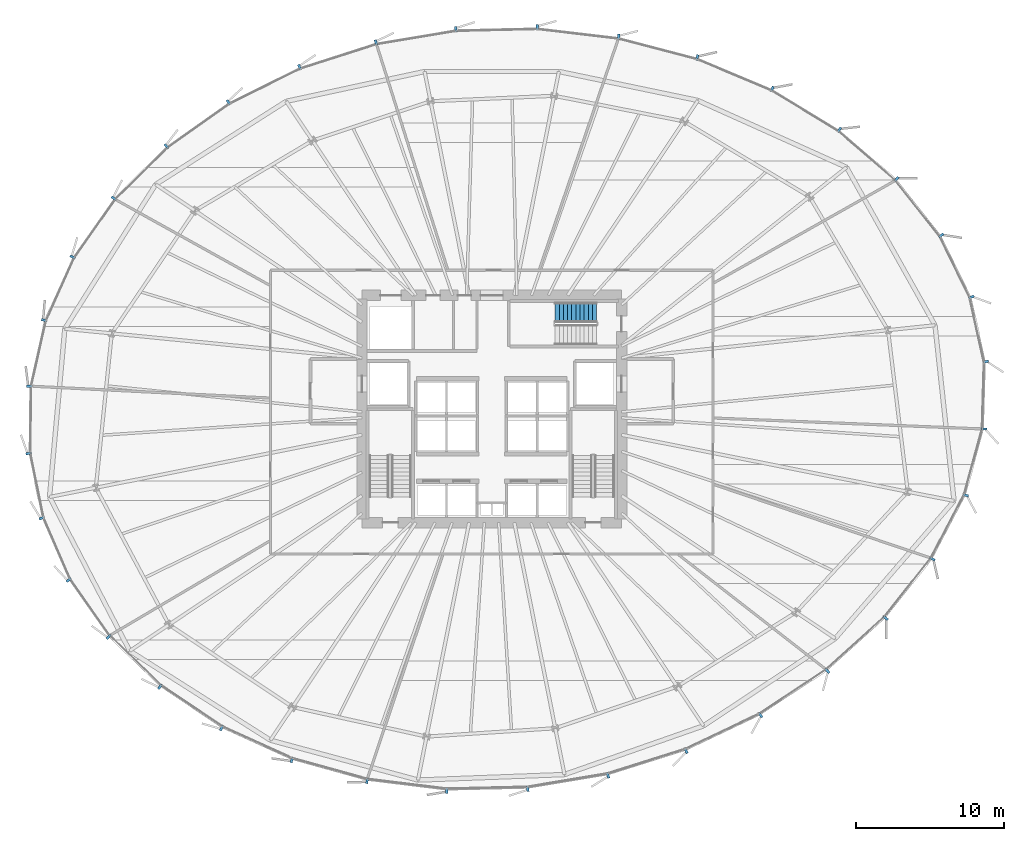
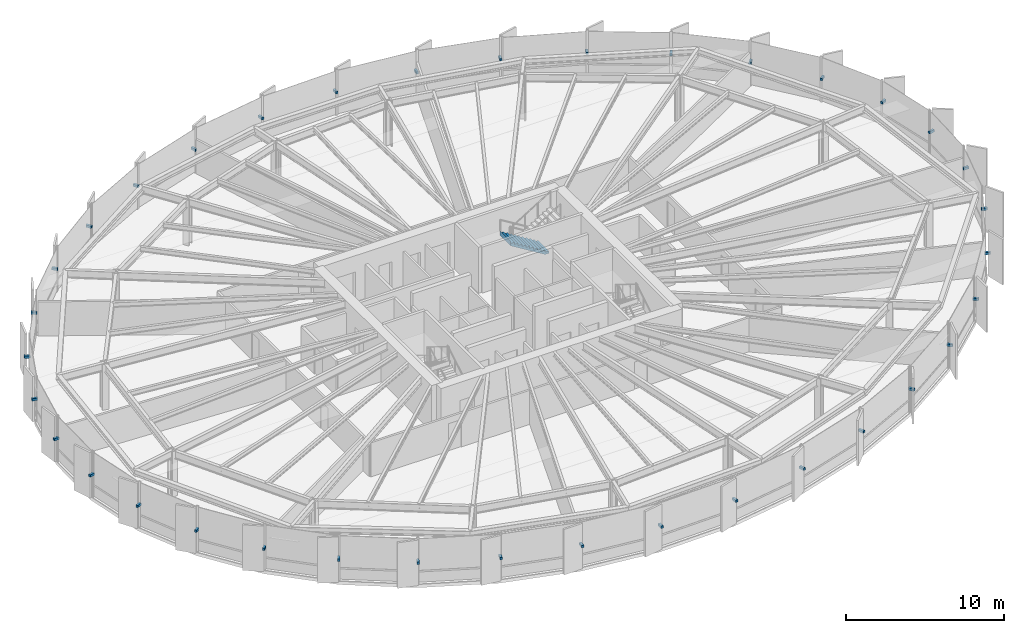
# One storey, part 33 of 38: 36 discrete accessories, 1 stair flight, 1 element without a shape of its own.
"""IFC4 building model written with IfcOpenShell, lengths in metres."""

from ifc_helpers import new_model, si_unit, direction, frame, origin, origin_2d, place, context, subcontext, project, spatial, polyline, rectangle, outline, extrude, source, transform, mapped, material, type_object, element, aggregate, save


model = new_model("IFC4")

# Units and contexts
model_context = context("Model", 3, precision=1e-05, world=origin(), true_north=direction((0.0, 1.0)))
body_context = subcontext(model_context, "Body", "Model", "MODEL_VIEW")
ifc_project = project(units=[si_unit("LENGTHUNIT", "METRE"), si_unit("AREAUNIT", "SQUARE_METRE"), si_unit("VOLUMEUNIT", "CUBIC_METRE"), si_unit("PLANEANGLEUNIT", "RADIAN"), si_unit("MASSUNIT", "GRAM", prefix="KILO"), si_unit("THERMODYNAMICTEMPERATUREUNIT", "KELVIN")], contexts=[model_context])

# Site, building, storey
site_placement = place(None, origin())
site = spatial("IfcSite", under=ifc_project, at=site_placement, CompositionType="ELEMENT")
building_placement = place(site_placement, origin())
building = spatial("IfcBuilding", under=site, at=building_placement, Name="Kethvar Cultural Tower", CompositionType="ELEMENT")
storey_placement = place(building_placement, frame((0.0, 0.0, 52.39990234375)))
storey = spatial("IfcBuildingStorey", under=building, at=storey_placement, Name="L12", CompositionType="ELEMENT", Elevation=52.39990234375)

# Stair, stair flight
ifc_material_1 = material(Name="Concrete C40/50", Category="concrete")
stair_type = type_object("IfcStairType", Name="ST-DOGLEG-135", PredefinedType="HALF_TURN_STAIR", material=ifc_material_1)
stair_placement = place(storey_placement, origin())
stair = element("IfcStair", 1, at=stair_placement, inside=storey, type_object=stair_type, Name="L12 Core Exit Stair 3", PredefinedType="HALF_TURN_STAIR")
stair_flight_type = type_object("IfcStairFlightType", Name="FL-STRAIGHT-135", PredefinedType="STRAIGHT", material=ifc_material_1)
stair_flight_placement = place(storey_placement, frame((53.89990234375, 34.3349609375, 0.0), z_axis=(0.0, 0.0, 1.0), x_axis=(-1.0, 0.0, 0.0)))
stair_flight = element("IfcStairFlight", 2, at=stair_flight_placement, type_object=stair_flight_type, Name="ST-03 flight 1", NumberOfRisers=11, NumberOfTreads=10, PredefinedType="STRAIGHT", RiserHeight=0.172727273, TreadLength=0.28, context=body_context, shape_type="SweptSolid", body=[
    extrude(outline(polyline([(-0.0009765625, -0.0009765625), (-0.0009765625, 0.172607421875), (0.280029296875, 0.172607421875), (0.280029296875, 0.345458984375), (0.56005859375, 0.345458984375), (0.56005859375, 0.51806640625), (0.840087890625, 0.51806640625), (0.840087890625, 0.69091796875), (1.1201171875, 0.69091796875), (1.1201171875, 0.863525390625), (1.39990234375, 0.863525390625), (1.39990234375, 1.036376953125), (1.679931640625, 1.036376953125), (1.679931640625, 1.208984375), (1.9599609375, 1.208984375), (1.9599609375, 1.3818359375), (2.239990234375, 1.3818359375), (2.239990234375, 1.554443359375), (2.52001953125, 1.554443359375), (2.52001953125, 1.727294921875), (2.800048828125, 1.727294921875), (2.800048828125, 1.89990234375), (2.801025390625, 1.89990234375), (2.801025390625, 1.551025390625), (0.285400390625, 0.0), (0.0, -0.0009765625), (-0.0009765625, -0.0009765625)])), frame((0.0, 0.675048828125, 0.0), z_axis=(0.0, -1.0, 0.0), x_axis=(1.0, 0.0, 0.0)), (0.0, 0.0, 1.0), 1.35009765625),
])
aggregate(stair, [stair_flight])

# Discrete accessories
ifc_material_2 = material(Name="Steel S355J2", Category="steel")
discrete_accessory_type = type_object("IfcDiscreteAccessoryType", Name="Steel Fin Bracket BRK-01", PredefinedType="BRACKET", material=ifc_material_2)
shared_shape = source(origin(), body_context, "Body", "SweptSolid", [
    extrude(rectangle(XDim=0.3798828125, YDim=0.159912109375, at=origin_2d()), origin(), (0.0, 0.0, 1.0), 0.179931640625),
])
for number, where, z_axis, x_axis, name in (
    (3, (80.28125, 31.00830078125, 1.68505859375), (0.0, 0.0, 1.0), (0.976333768089, 0.216269214844, 0.0), "L12 Terracotta Fin Bracket 1.1"),
    (4, (79.311767578125, 35.38525390625, 1.68505859375), (0.0, 0.0, 1.0), (0.897873953312, 0.440252613806, 0.0), "L12 Terracotta Fin Bracket 1.2"),
    (5, (77.26220703125, 39.564697265625, 1.68505859375), (0.0, 0.0, 1.0), (0.783368117696, 0.621558036049, 0.0), "L12 Terracotta Fin Bracket 1.3"),
    (6, (74.23388671875, 43.381591796875, 1.68505859375), (0.0, 0.0, 1.0), (0.65342060399, 0.756995055652, 0.0), "L12 Terracotta Fin Bracket 1.4"),
    (7, (70.361572265625, 46.7236328125, 1.68505859375), (0.0, 0.0, 1.0), (0.519966434242, 0.854186693447, 0.0), "L12 Terracotta Fin Bracket 1.5"),
    (8, (65.81005859375, 49.494384765625, 1.68505859375), (0.0, 0.0, 1.0), (0.387032846937, 0.922065927899, 0.0), "L12 Terracotta Fin Bracket 1.6"),
    (9, (60.719482421875, 51.6240234375, 1.68505859375), (0.0, 0.0, 1.0), (0.253420288991, 0.967356272077, 0.0), "L12 Terracotta Fin Bracket 2.1"),
    (10, (55.394287109375, 53.01904296875, 1.68505859375), (0.0, 0.0, 1.0), (0.117190744019, 0.993109424745, 0.0), "L12 Terracotta Fin Bracket 2.2"),
    (11, (49.88134765625, 53.66943359375, 1.68505859375), (0.0, 0.0, 1.0), (-0.023036308188, 0.999734629042, 0.0), "L12 Terracotta Fin Bracket 2.3"),
    (12, (44.36572265625, 53.54248046875, 1.68505859375), (0.0, 0.0, 1.0), (-0.165047605861, 0.986285601537, 0.0), "L12 Terracotta Fin Bracket 2.4"),
    (13, (38.95068359375, 52.635986328125, 1.68505859375), (0.0, 0.0, 1.0), (-0.30552912238, 0.952182732136, 0.0), "L12 Terracotta Fin Bracket 2.5"),
    (14, (33.77392578125, 50.974853515625, 1.68505859375), (0.0, 0.0, 1.0), (-0.443384096623, 0.896331714747, 0.0), "L12 Terracotta Fin Bracket 2.6"),
    (15, (28.958251953125, 48.585205078125, 1.68505859375), (0.0, 0.0, 1.0), (-0.577287712086, 0.816540811886, 0.0), "L12 Terracotta Fin Bracket 3.1"),
    (16, (24.752685546875, 45.6123046875, 1.68505859375), (0.0, 0.0, 1.0), (-0.703890763003, 0.710308238555, 0.0), "L12 Terracotta Fin Bracket 3.2"),
    (17, (21.18212890625, 42.073486328125, 1.68505859375), (0.0, 0.0, 1.0), (-0.818149717425, 0.575005252043, 0.0), "L12 Terracotta Fin Bracket 3.3"),
    (18, (18.39013671875, 38.1005859375, 1.68505859375), (0.0, 0.0, 1.0), (-0.911905355952, 0.410400562604, 0.0), "L12 Terracotta Fin Bracket 3.4"),
    (19, (16.46142578125, 33.81494140625, 1.68505859375), (0.0, 0.0, 1.0), (-0.975534543946, 0.219846204353, 0.0), "L12 Terracotta Fin Bracket 3.5"),
    (20, (15.45458984375, 29.346435546875, 1.68505859375), (0.0, 0.0, 1.0), (-0.9999274867, 0.01204248075, 0.0), "L12 Terracotta Fin Bracket 3.6"),
    (21, (15.40869140625, 24.789306640625, 1.68505859375), (0.0, 0.0, 1.0), (-0.979959485964, -0.199196902256, 0.0), "L12 Terracotta Fin Bracket 4.1"),
    (22, (16.30029296875, 20.405517578125, 1.68505859375), (0.0, 0.0, 1.0), (-0.917060074385, -0.398749068925, 0.0), "L12 Terracotta Fin Bracket 4.2"),
    (23, (18.126953125, 16.204833984375, 1.68505859375), (0.0, 0.0, 1.0), (-0.818851608095, -0.574005264714, 0.0), "L12 Terracotta Fin Bracket 4.3"),
    (24, (20.82470703125, 12.356689453125, 1.68505859375), (0.0, 0.0, 1.0), (-0.695912796592, -0.718126297763, 0.0), "L12 Terracotta Fin Bracket 4.4"),
    (25, (24.31201171875, 8.97802734375, 1.68505859375), (0.0, 0.0, 1.0), (-0.558324430902, -0.829622703317, 0.0), "L12 Terracotta Fin Bracket 4.5"),
    (26, (28.482177734375, 6.171142578125, 1.68505859375), (0.0, 0.0, 1.0), (-0.41405786884, -0.9102505596, 0.0), "L12 Terracotta Fin Bracket 4.6"),
    (27, (33.24951171875, 4.01025390625, 1.68505859375), (0.0, 0.0, 1.0), (-0.267574730274, -0.963537110712, 0.0), "L12 Terracotta Fin Bracket 5.1"),
    (28, (38.3486328125, 2.594482421875, 1.68505859375), (0.0, 0.0, 1.0), (-0.121696109567, -0.992567406737, 0.0), "L12 Terracotta Fin Bracket 5.2"),
    (29, (43.744873046875, 1.93310546875, 1.68505859375), (0.0, 0.0, 1.0), (0.022687333573, -0.999742609323, 0.0), "L12 Terracotta Fin Bracket 5.3"),
    (30, (49.234130859375, 2.0576171875, 1.68505859375), (0.0, 0.0, 1.0), (0.16470331719, -0.986343153931, 0.0), "L12 Terracotta Fin Bracket 5.4"),
    (31, (54.67578125, 2.96630859375, 1.68505859375), (0.0, 0.0, 1.0), (0.301205123289, -0.953559370834, 0.0), "L12 Terracotta Fin Bracket 5.5"),
    (32, (59.968994140625, 4.638427734375, 1.68505859375), (0.0, 0.0, 1.0), (0.430196008887, -0.90273550608, 0.0), "L12 Terracotta Fin Bracket 5.6"),
    (33, (65.011962890625, 7.04833984375, 1.68505859375), (0.0, 0.0, 1.0), (0.552955356864, -0.833210881659, 0.0), "L12 Terracotta Fin Bracket 6.1"),
    (34, (69.539794921875, 10.052978515625, 1.68505859375), (0.0, 0.0, 1.0), (0.670815024682, -0.741624704726, 0.0), "L12 Terracotta Fin Bracket 6.2"),
    (35, (73.4912109375, 13.627685546875, 1.68505859375), (0.0, 0.0, 1.0), (0.783693457326, -0.621147780278, 0.0), "L12 Terracotta Fin Bracket 6.3"),
    (36, (76.668701171875, 17.63671875, 1.68505859375), (0.0, 0.0, 1.0), (0.885960876527, -0.4637599867, 0.0), "L12 Terracotta Fin Bracket 6.4"),
    (37, (78.927978515625, 21.953857421875, 1.68505859375), (0.0, 0.0, 1.0), (0.964465250625, -0.264209727938, 0.0), "L12 Terracotta Fin Bracket 6.5"),
    (38, (80.15771484375, 26.443603515625, 1.68505859375), (0.0, 0.0, 1.0), (0.999565022632, -0.029491787528, 0.0), "L12 Terracotta Fin Bracket 6.6"),
):
    element("IfcDiscreteAccessory", number, at=place(storey_placement, frame(where, z_axis=z_axis, x_axis=x_axis)), inside=storey, type_object=discrete_accessory_type, Name=name, PredefinedType="BRACKET", context=body_context, shape_type="MappedRepresentation", body=[
        mapped(shared_shape, transform((0.0, 0.0, 0.0), scale=1.0)),
    ])

save(model, "model.ifc")
